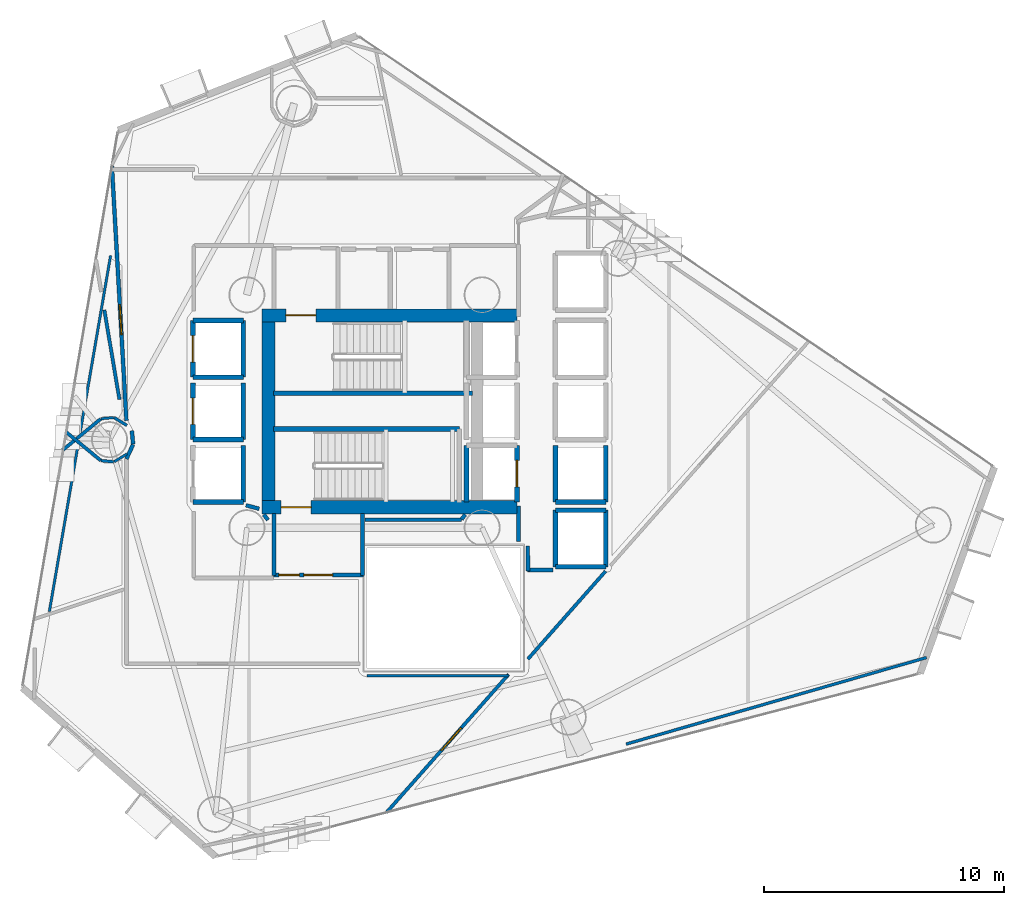
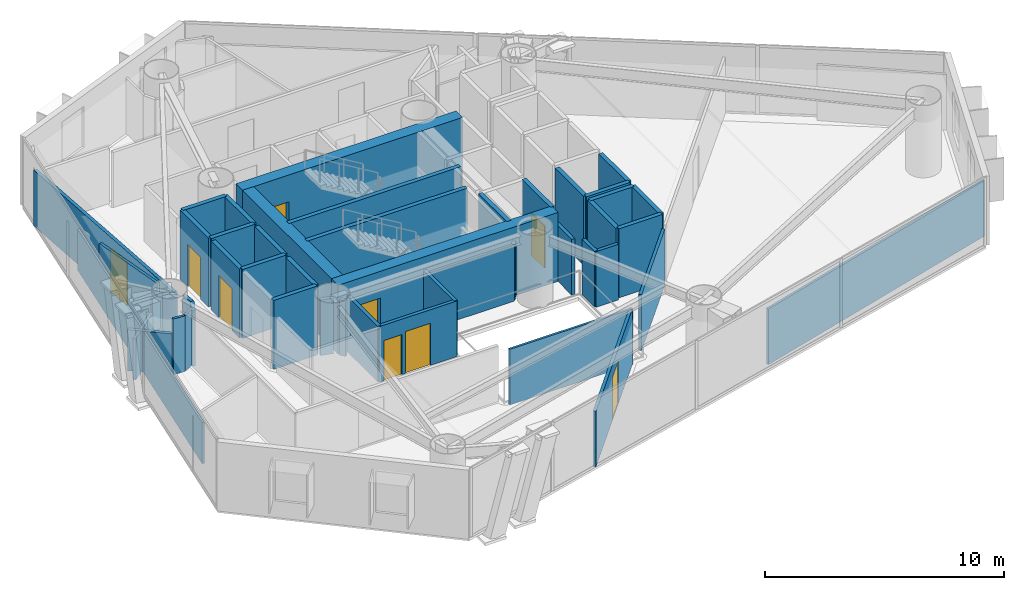
# One storey, part 16 of 21: 48 walls, 9 doors, 9 openings.
"""IFC4 building model written with IfcOpenShell, lengths in metres."""

from ifc_helpers import new_model, si_unit, direction, frame, frame_2d, origin, place, context, subcontext, project, spatial, rectangle, extrude, material, layer, layer_set, type_object, element, fill, save


model = new_model("IFC4")

# Units and contexts
model_context = context("Model", 3, precision=1e-05, world=origin(), true_north=direction((0.0, 1.0)))
body_context = subcontext(model_context, "Body", "Model", "MODEL_VIEW")
ifc_project = project(units=[si_unit("LENGTHUNIT", "METRE"), si_unit("AREAUNIT", "SQUARE_METRE"), si_unit("VOLUMEUNIT", "CUBIC_METRE"), si_unit("PLANEANGLEUNIT", "RADIAN"), si_unit("MASSUNIT", "GRAM", prefix="KILO")], contexts=[model_context])

# Site, building, storey
site_placement = place(None, origin())
site = spatial("IfcSite", under=ifc_project, at=site_placement, CompositionType="ELEMENT")
building_placement = place(site_placement, origin())
building = spatial("IfcBuilding", under=site, at=building_placement, Name="Qianvela Tower", CompositionType="ELEMENT")
storey_placement = place(building_placement, frame((0.0, 0.0, 112.60009765625)))
storey = spatial("IfcBuildingStorey", under=building, at=storey_placement, Name="L28", CompositionType="ELEMENT", Elevation=112.60009765625)

# Wall, opening, door
ifc_material_1 = material(Name="Concrete C60", Category="concrete")
ifc_layer_1 = layer(ifc_material_1, 0.550048828125)
ifc_layer_set_1 = layer_set([ifc_layer_1], Name="Concrete C60")
wall_type_1 = type_object("IfcWallType", Name="WT-CORE-550", PredefinedType="SHEAR", material=ifc_layer_set_1)
wall_1_placement = place(storey_placement, frame((29.22998046875, 32.695068359375, 0.0), z_axis=(0.0, 0.0, 1.0), x_axis=(1.0, 0.0, 0.0)))
wall_1 = element("IfcWall", 1, at=wall_1_placement, inside=storey, type_object=wall_type_1, Name="L28 North Core Shear Wall", PredefinedType="SHEAR", context=body_context, shape_type="SweptSolid", body=[
    extrude(rectangle(XDim=10.6201171875, YDim=0.550048828125, at=frame_2d((5.31005859375, 0.0))), origin(), (0.0, 0.0, 1.0), 3.52001953125),
])
opening_1_placement = place(wall_1_placement, frame((0.9951171875, 0.0, 0.0)))
opening_1 = element("IfcOpeningElement", 2, at=opening_1_placement, cuts=wall_1, Name="Opening D-ST1", PredefinedType="OPENING", context=body_context, shape_type="SweptSolid", body=[
    extrude(rectangle(XDim=1.25, YDim=2.14990234375, at=frame_2d((0.625, 1.074951171875))), frame((0.0, 0.284912109375, 0.0), z_axis=(0.0, -1.0, 0.0), x_axis=(1.0, 0.0, 0.0)), (0.0, 0.0, 1.0), 0.570068359375),
])
ifc_material_2 = material(Name="Galvanised Fire Steel Q355B", Category="steel")
door_type_1 = type_object("IfcDoorType", Name="DT-STAIR-FD90", OperationType="NOTDEFINED", PredefinedType="DOOR", material=ifc_material_2)
door_1_placement = place(opening_1_placement, origin())
door_1 = element("IfcDoor", 3, at=door_1_placement, inside=storey, type_object=door_type_1, Name="L28 Stair ST-1 Exit Door", OperationType="SINGLE_SWING_RIGHT", OverallHeight=2.14990234375, OverallWidth=1.25, PredefinedType="DOOR", context=body_context, shape_type="SweptSolid", body=[
    extrude(rectangle(XDim=1.25, YDim=2.14990234375, at=frame_2d((0.625, 1.074951171875))), frame((0.0, 0.02490234375, 0.0), z_axis=(0.0, -1.0, 0.0), x_axis=(1.0, 0.0, 0.0)), (0.0, 0.0, 1.0), 0.050048828125),
])
fill(opening_1, door_1)

wall_2_placement = place(storey_placement, frame((29.22998046875, 24.705078125, 0.0), z_axis=(0.0, 0.0, 1.0), x_axis=(1.0, 0.0, 0.0)))
wall_2 = element("IfcWall", 4, at=wall_2_placement, inside=storey, type_object=wall_type_1, Name="L28 South Core Shear Wall", PredefinedType="SHEAR", context=body_context, shape_type="SweptSolid", body=[
    extrude(rectangle(XDim=10.6201171875, YDim=0.550048828125, at=frame_2d((5.31005859375, 0.0))), origin(), (0.0, 0.0, 1.0), 3.52001953125),
])
opening_2_placement = place(wall_2_placement, frame((0.794921875, 0.0, 0.0)))
opening_2 = element("IfcOpeningElement", 5, at=opening_2_placement, cuts=wall_2, Name="Opening D-ST1", PredefinedType="OPENING", context=body_context, shape_type="SweptSolid", body=[
    extrude(rectangle(XDim=1.25, YDim=2.14990234375, at=frame_2d((0.625, 1.074951171875))), frame((0.0, 0.284912109375, 0.0), z_axis=(0.0, -1.0, 0.0), x_axis=(1.0, 0.0, 0.0)), (0.0, 0.0, 1.0), 0.570068359375),
])
door_2_placement = place(opening_2_placement, origin())
door_2 = element("IfcDoor", 6, at=door_2_placement, inside=storey, type_object=door_type_1, Name="L28 Stair ST-2 Exit Door", OperationType="SINGLE_SWING_RIGHT", OverallHeight=2.14990234375, OverallWidth=1.25, PredefinedType="DOOR", context=body_context, shape_type="SweptSolid", body=[
    extrude(rectangle(XDim=1.25, YDim=2.14990234375, at=frame_2d((0.625, 1.074951171875))), frame((0.0, 0.02490234375, 0.0), z_axis=(0.0, -1.0, 0.0), x_axis=(1.0, 0.0, 0.0)), (0.0, 0.0, 1.0), 0.050048828125),
])
fill(opening_2, door_2)

# Wall
wall_3_placement = place(storey_placement, frame((29.5048828125, 24.97998046875, 0.0), z_axis=(0.0, 0.0, 1.0), x_axis=(0.0, 1.0, 0.0)))
element("IfcWall", 7, at=wall_3_placement, inside=storey, type_object=wall_type_1, Name="L28 West Core Shear Wall", PredefinedType="SHEAR", context=body_context, shape_type="SweptSolid", body=[
    extrude(rectangle(XDim=7.43994140625, YDim=0.550048828125, at=frame_2d((3.719970703125, 0.0))), origin(), (0.0, 0.0, 1.0), 3.52001953125),
])

# Wall, openings, doors
ifc_material_3 = material(Name="Fire-Rated Gypsum and Concrete Block", Category="concrete")
ifc_layer_2 = layer(ifc_material_3, 0.159912109375)
ifc_layer_set_2 = layer_set([ifc_layer_2], Name="Fire-Rated Gypsum and Concrete Block")
wall_type_2 = type_object("IfcWallType", Name="WT-CORR-160", PredefinedType="PARTITIONING", material=ifc_layer_set_2)
wall_4_placement = place(storey_placement, frame((33.449951171875, 21.881103515625, 0.0), z_axis=(0.0, 0.0, 1.0), x_axis=(-1.0, 0.0, 0.0)))
wall_4 = element("IfcWall", 8, at=wall_4_placement, inside=storey, type_object=wall_type_2, Name="L28 Partition 5", PredefinedType="PARTITIONING", context=body_context, shape_type="SweptSolid", body=[
    extrude(rectangle(XDim=3.75, YDim=0.159912109375, at=frame_2d((1.875, 0.0))), origin(), (0.0, 0.0, 1.0), 2.83984375),
])
opening_3_placement = place(wall_4_placement, frame((1.27490234375, 0.0, 0.0)))
opening_3 = element("IfcOpeningElement", 9, at=opening_3_placement, cuts=wall_4, Name="Opening D-LB1", PredefinedType="OPENING", context=body_context, shape_type="SweptSolid", body=[
    extrude(rectangle(XDim=1.199951171875, YDim=2.14990234375, at=frame_2d((0.60009765625, 1.074951171875))), frame((0.0, 0.08984375, 0.0), z_axis=(0.0, -1.0, 0.0), x_axis=(1.0, 0.0, 0.0)), (0.0, 0.0, 1.0), 0.179931640625),
])
opening_4_placement = place(wall_4_placement, frame((2.659912109375, 0.0, 0.0)))
opening_4 = element("IfcOpeningElement", 10, at=opening_4_placement, cuts=wall_4, Name="Opening D-LB2", PredefinedType="OPENING", context=body_context, shape_type="SweptSolid", body=[
    extrude(rectangle(XDim=0.860107421875, YDim=2.050048828125, at=frame_2d((0.43017578125, 1.02490234375))), frame((0.0, 0.08984375, 0.0), z_axis=(0.0, -1.0, 0.0), x_axis=(1.0, 0.0, 0.0)), (0.0, 0.0, 1.0), 0.179931640625),
])
ifc_material_4 = material(Name="Glazed Fire-Rated Steel Frame", Category="steel")
door_type_2 = type_object("IfcDoorType", Name="DT-LOBBY-FD90", OperationType="NOTDEFINED", PredefinedType="DOOR", material=ifc_material_4)
door_3_placement = place(opening_3_placement, origin())
door_3 = element("IfcDoor", 11, at=door_3_placement, inside=storey, type_object=door_type_2, Name="L28 Door L28 Firefighting Lobby South to L28 Floor Corridor", OperationType="SINGLE_SWING_LEFT", OverallHeight=2.14990234375, OverallWidth=1.199951171875, PredefinedType="DOOR", context=body_context, shape_type="SweptSolid", body=[
    extrude(rectangle(XDim=1.199951171875, YDim=2.14990234375, at=frame_2d((0.60009765625, 1.074951171875))), frame((0.0, 0.02490234375, 0.0), z_axis=(0.0, -1.0, 0.0), x_axis=(1.0, 0.0, 0.0)), (0.0, 0.0, 1.0), 0.050048828125),
])
fill(opening_3, door_3)
ifc_material_5 = material(Name="Insulated Steel Fire Door Q355B", Category="steel")
door_type_3 = type_object("IfcDoorType", Name="DT-LOBBY-FD90-860", OperationType="NOTDEFINED", PredefinedType="DOOR", material=ifc_material_5)
door_4_placement = place(opening_4_placement, origin())
door_4 = element("IfcDoor", 12, at=door_4_placement, inside=storey, type_object=door_type_3, Name="L28 Door L28 Firefighting Lobby South to L28 Floor Corridor", OperationType="SINGLE_SWING_RIGHT", OverallHeight=2.050048828125, OverallWidth=0.860107421875, PredefinedType="DOOR", context=body_context, shape_type="SweptSolid", body=[
    extrude(rectangle(XDim=0.860107421875, YDim=2.050048828125, at=frame_2d((0.43017578125, 1.02490234375))), frame((0.0, 0.02490234375, 0.0), z_axis=(0.0, -1.0, 0.0), x_axis=(1.0, 0.0, 0.0)), (0.0, 0.0, 1.0), 0.050048828125),
])
fill(opening_4, door_4)

# Walls
for number, where, z_axis, x_axis, name in (
    (13, (29.73095703125, 21.85009765625, 0.0), (0.0, 0.0, 1.0), (0.0, 1.0, 0.0), "L28 Partition 6"),
    (14, (33.4189453125, 24.44189453125, 0.0), (0.0, 0.0, 1.0), (0.0, -1.0, 0.0), "L28 Partition 8"),
):
    element("IfcWall", number, at=place(storey_placement, frame(where, z_axis=z_axis, x_axis=x_axis)), inside=storey, type_object=wall_type_2, Name=name, PredefinedType="PARTITIONING", context=body_context, shape_type="SweptSolid", body=[
        extrude(rectangle(XDim=2.591796875, YDim=0.159912109375, at=frame_2d((1.2958984375, 0.0))), origin(), (0.0, 0.0, 1.0), 2.83984375),
    ])
wall_5_placement = place(storey_placement, frame((41.360107421875, 22.0810546875, 0.0), z_axis=(0.0, 0.0, 1.0), x_axis=(-1.0, 0.0, 0.0)))
element("IfcWall", 15, at=wall_5_placement, inside=storey, type_object=wall_type_2, Name="L28 Partition 15", PredefinedType="PARTITIONING", context=body_context, shape_type="SweptSolid", body=[
    extrude(rectangle(XDim=1.080078125, YDim=0.159912109375, at=frame_2d((0.5400390625, 0.0))), origin(), (0.0, 0.0, 1.0), 2.83984375),
])
wall_6_placement = place(storey_placement, frame((40.31103515625, 22.05029296875, 0.0), z_axis=(0.0, 0.0, 1.0), x_axis=(-0.011836292006, 0.999929948642, 0.0)))
element("IfcWall", 16, at=wall_6_placement, inside=storey, type_object=wall_type_2, Name="L28 Partition 16", PredefinedType="PARTITIONING", context=body_context, shape_type="SweptSolid", body=[
    extrude(rectangle(XDim=1.03125, YDim=0.159912109375, at=frame_2d((0.515625, 0.0))), origin(), (0.0, 0.0, 1.0), 2.83984375),
])
wall_7_placement = place(storey_placement, frame((39.910888671875, 23.27978515625, 0.0), z_axis=(0.0, 0.0, 1.0), x_axis=(0.009397771291, 0.999955839972, 0.0)))
element("IfcWall", 17, at=wall_7_placement, inside=storey, type_object=wall_type_2, Name="L28 Partition 17", PredefinedType="PARTITIONING", context=body_context, shape_type="SweptSolid", body=[
    extrude(rectangle(XDim=1.480712890625, YDim=0.159912109375, at=frame_2d((0.740234375, 0.0))), origin(), (0.0, 0.0, 1.0), 2.83984375),
])
wall_8_placement = place(storey_placement, frame((29.47998046875, 24.1689453125, 0.0), z_axis=(0.0, 0.0, 1.0), x_axis=(-0.607608252226, 0.794236873878, 0.0)))
element("IfcWall", 18, at=wall_8_placement, inside=storey, type_object=wall_type_2, Name="L28 Partition 30", PredefinedType="PARTITIONING", context=body_context, shape_type="SweptSolid", body=[
    extrude(rectangle(XDim=0.286376953125, YDim=0.159912109375, at=frame_2d((0.14306640625, 0.0))), origin(), (0.0, 0.0, 1.0), 2.83984375),
])
wall_9_placement = place(storey_placement, frame((29.113525390625, 24.63671875, 0.0), z_axis=(0.0, 0.0, 1.0), x_axis=(-0.966199685486, 0.257794817183, 0.0)))
element("IfcWall", 19, at=wall_9_placement, inside=storey, type_object=wall_type_2, Name="L28 Partition 31", PredefinedType="PARTITIONING", context=body_context, shape_type="SweptSolid", body=[
    extrude(rectangle(XDim=0.574951171875, YDim=0.159912109375, at=frame_2d((0.28759765625, 0.0))), origin(), (0.0, 0.0, 1.0), 2.83984375),
])
wall_10_placement = place(storey_placement, frame((37.694091796875, 24.396484375, 0.0), z_axis=(0.0, 0.0, 1.0), x_axis=(-0.607118658061, -0.794611184815, 0.0)))
element("IfcWall", 20, at=wall_10_placement, inside=storey, type_object=wall_type_2, Name="L28 Partition 38", PredefinedType="PARTITIONING", context=body_context, shape_type="SweptSolid", body=[
    extrude(rectangle(XDim=0.24609375, YDim=0.159912109375, at=frame_2d((0.123046875, 0.0))), origin(), (0.0, 0.0, 1.0), 2.83984375),
])
wall_11_placement = place(storey_placement, frame((37.544677734375, 24.180908203125, 0.0), z_axis=(0.0, 0.0, 1.0), x_axis=(-1.0, 0.0, 0.0)))
element("IfcWall", 21, at=wall_11_placement, inside=storey, type_object=wall_type_2, Name="L28 Partition 39", PredefinedType="PARTITIONING", context=body_context, shape_type="SweptSolid", body=[
    extrude(rectangle(XDim=4.0146484375, YDim=0.159912109375, at=frame_2d((2.00732421875, 0.0))), origin(), (0.0, 0.0, 1.0), 2.83984375),
])

# Wall, opening, door
wall_12_placement = place(storey_placement, frame((23.5810546875, 28.306640625, 0.0), z_axis=(0.0, 0.0, 1.0), x_axis=(-0.056927299401, 0.998378326379, 0.0)))
wall_12 = element("IfcWall", 22, at=wall_12_placement, inside=storey, type_object=wall_type_2, Name="L28 Partition 40", PredefinedType="PARTITIONING", context=body_context, shape_type="SweptSolid", body=[
    extrude(rectangle(XDim=10.614501953125, YDim=0.159912109375, at=frame_2d((5.30712890625, 0.0))), origin(), (0.0, 0.0, 1.0), 2.83984375),
])
opening_5_placement = place(wall_12_placement, frame((3.59423828125, 0.0, 0.0)))
opening_5 = element("IfcOpeningElement", 23, at=opening_5_placement, cuts=wall_12, Name="Opening D-LG1", PredefinedType="OPENING", context=body_context, shape_type="SweptSolid", body=[
    extrude(rectangle(XDim=1.25, YDim=2.199951171875, at=frame_2d((0.625, 1.10009765625))), frame((0.0, 0.08984375, 0.0), z_axis=(0.0, -1.0, 0.0), x_axis=(1.0, 0.0, 0.0)), (0.0, 0.0, 1.0), 0.179931640625),
])
ifc_material_6 = material(Name="Anodised Aluminium Acoustic Glass Door", Category="aluminium")
door_type_4 = type_object("IfcDoorType", Name="DT-LOUNGE-1250", OperationType="NOTDEFINED", PredefinedType="DOOR", material=ifc_material_6)
door_5_placement = place(opening_5_placement, origin())
door_5 = element("IfcDoor", 24, at=door_5_placement, inside=storey, type_object=door_type_4, Name="L28 Door Graduate Seminar Classroom L28-04 to L28 Floor Corridor", OperationType="SINGLE_SWING_RIGHT", OverallHeight=2.199951171875, OverallWidth=1.25, PredefinedType="DOOR", context=body_context, shape_type="SweptSolid", body=[
    extrude(rectangle(XDim=1.25, YDim=2.199951171875, at=frame_2d((0.625, 1.10009765625))), frame((0.0, 0.02490234375, 0.0), z_axis=(0.0, -1.0, 0.0), x_axis=(1.0, 0.0, 0.0)), (0.0, 0.0, 1.0), 0.050048828125),
])
fill(opening_5, door_5)

# Walls
wall_13_placement = place(storey_placement, frame((23.578125, 26.71240234375, 0.0), z_axis=(0.0, 0.0, 1.0), x_axis=(0.421251946418, 0.906943657367, 0.0)))
element("IfcWall", 25, at=wall_13_placement, inside=storey, type_object=wall_type_2, Name="L28 Partition 53", PredefinedType="PARTITIONING", context=body_context, shape_type="SweptSolid", body=[
    extrude(rectangle(XDim=0.6630859375, YDim=0.159912109375, at=frame_2d((0.33154296875, 0.0))), origin(), (0.0, 0.0, 1.0), 2.83984375),
])
wall_14_placement = place(storey_placement, frame((23.860107421875, 27.329833984375, 0.0), z_axis=(0.0, 0.0, 1.0), x_axis=(-0.098000919071, 0.995186324193, 0.0)))
element("IfcWall", 26, at=wall_14_placement, inside=storey, type_object=wall_type_2, Name="L28 Partition 54", PredefinedType="PARTITIONING", context=body_context, shape_type="SweptSolid", body=[
    extrude(rectangle(XDim=0.56298828125, YDim=0.159912109375, at=frame_2d((0.281494140625, 0.0))), origin(), (0.0, 0.0, 1.0), 2.83984375),
])
ifc_material_7 = material(Name="Lightweight Gypsum Room Partition")
ifc_layer_3 = layer(ifc_material_7, 0.10498046875)
ifc_layer_set_3 = layer_set([ifc_layer_3], Name="Lightweight Gypsum Room Partition")
wall_type_3 = type_object("IfcWallType", Name="WT-PART-105", PredefinedType="PARTITIONING", material=ifc_layer_set_3)
wall_15_placement = place(storey_placement, frame((33.60009765625, 17.68896484375, 0.0), z_axis=(0.0, 0.0, 1.0), x_axis=(1.0, 0.0, 0.0)))
element("IfcWall", 27, at=wall_15_placement, inside=storey, type_object=wall_type_3, Name="L28 Partition 56", PredefinedType="PARTITIONING", context=body_context, shape_type="SweptSolid", body=[
    extrude(rectangle(XDim=5.925048828125, YDim=0.10498046875, at=frame_2d((2.96240234375, 0.0))), origin(), (0.0, 0.0, 1.0), 2.83984375),
])
wall_16_placement = place(storey_placement, frame((23.052490234375, 28.439453125, 0.0), z_axis=(0.0, 0.0, 1.0), x_axis=(-0.995191506225, -0.09794828195, 0.0)))
element("IfcWall", 28, at=wall_16_placement, inside=storey, type_object=wall_type_3, Name="L28 Partition 104", PredefinedType="PARTITIONING", context=body_context, shape_type="SweptSolid", body=[
    extrude(rectangle(XDim=0.5283203125, YDim=0.10498046875, at=frame_2d((0.26416015625, 0.0))), origin(), (0.0, 0.0, 1.0), 2.83984375),
])
wall_17_placement = place(storey_placement, frame((23.07177734375, 26.59716796875, 0.0), z_axis=(0.0, 0.0, 1.0), x_axis=(0.851536753009, 0.524294915363, 0.0)))
element("IfcWall", 29, at=wall_17_placement, inside=storey, type_object=wall_type_3, Name="L28 Partition 110", PredefinedType="PARTITIONING", context=body_context, shape_type="SweptSolid", body=[
    extrude(rectangle(XDim=0.62060546875, YDim=0.10498046875, at=frame_2d((0.310302734375, 0.0))), origin(), (0.0, 0.0, 1.0), 2.83984375),
])
wall_18_placement = place(storey_placement, frame((20.37109375, 20.35791015625, 0.0), z_axis=(0.0, 0.0, 1.0), x_axis=(0.169525939527, 0.985525725604, 0.0)))
element("IfcWall", 30, at=wall_18_placement, inside=storey, type_object=wall_type_3, Name="L28 Partition 113", PredefinedType="PARTITIONING", context=body_context, shape_type="SweptSolid", body=[
    extrude(rectangle(XDim=15.043701171875, YDim=0.10498046875, at=frame_2d((7.52197265625, 0.0))), origin(), (0.0, 0.0, 1.0), 2.094970703125),
])
ifc_material_8 = material(Name="Insulated Gypsum Stud Partition")
ifc_layer_4 = layer(ifc_material_8, 0.1201171875)
ifc_layer_set_4 = layer_set([ifc_layer_4], Name="Insulated Gypsum Stud Partition")
wall_type_4 = type_object("IfcWallType", Name="WT-PART-120", PredefinedType="PARTITIONING", material=ifc_layer_set_4)
wall_19_placement = place(storey_placement, frame((56.912109375, 18.439453125, 0.0), z_axis=(0.0, 0.0, 1.0), x_axis=(-0.960917353676, -0.276835401285, 0.0)))
element("IfcWall", 31, at=wall_19_placement, inside=storey, type_object=wall_type_4, Name="L28 Partition 67 seg 1", PredefinedType="PARTITIONING", context=body_context, shape_type="SweptSolid", body=[
    extrude(rectangle(XDim=13.020263671875, YDim=0.1201171875, at=frame_2d((6.51025390625, 0.0))), origin(), (0.0, 0.0, 1.0), 2.83984375),
])
wall_20_placement = place(storey_placement, frame((23.600341796875, 28.109619140625, 0.0), z_axis=(0.0, 0.0, 1.0), x_axis=(-0.851712341449, 0.524009625316, 0.0)))
element("IfcWall", 32, at=wall_20_placement, inside=storey, type_object=wall_type_4, Name="L28 Partition 103", PredefinedType="PARTITIONING", context=body_context, shape_type="SweptSolid", body=[
    extrude(rectangle(XDim=0.62060546875, YDim=0.1201171875, at=frame_2d((0.310302734375, 0.0))), origin(), (0.0, 0.0, 1.0), 2.83984375),
])
wall_21_placement = place(storey_placement, frame((22.526611328125, 26.644287109375, 0.0), z_axis=(0.0, 0.0, 1.0), x_axis=(0.995191506225, -0.09794828195, 0.0)))
element("IfcWall", 33, at=wall_21_placement, inside=storey, type_object=wall_type_4, Name="L28 Partition 109", PredefinedType="PARTITIONING", context=body_context, shape_type="SweptSolid", body=[
    extrude(rectangle(XDim=0.5283203125, YDim=0.1201171875, at=frame_2d((0.26416015625, 0.0))), origin(), (0.0, 0.0, 1.0), 2.83984375),
])

# Wall, opening, door
ifc_material_9 = material(Name="Acoustic Double Gypsum Stud Partition")
ifc_layer_5 = layer(ifc_material_9, 0.139892578125)
ifc_layer_set_5 = layer_set([ifc_layer_5], Name="Acoustic Double Gypsum Stud Partition")
wall_type_5 = type_object("IfcWallType", Name="WT-ROOM-140", PredefinedType="PARTITIONING", material=ifc_layer_set_5)
wall_22_placement = place(storey_placement, frame((39.501953125, 17.740478515625, 0.0), z_axis=(0.0, 0.0, 1.0), x_axis=(-0.662230930848, -0.749299802635, 0.0)))
wall_22 = element("IfcWall", 34, at=wall_22_placement, inside=storey, type_object=wall_type_5, Name="L28 Partition 57", PredefinedType="PARTITIONING", context=body_context, shape_type="SweptSolid", body=[
    extrude(rectangle(XDim=7.697021484375, YDim=0.139892578125, at=frame_2d((3.8486328125, 0.0))), origin(), (0.0, 0.0, 1.0), 2.83984375),
])
opening_6_placement = place(wall_22_placement, frame((2.98046875, 0.0, 0.0)))
opening_6 = element("IfcOpeningElement", 35, at=opening_6_placement, cuts=wall_22, Name="Opening D-LG1", PredefinedType="OPENING", context=body_context, shape_type="SweptSolid", body=[
    extrude(rectangle(XDim=1.25, YDim=2.199951171875, at=frame_2d((0.625, 1.10009765625))), frame((0.0, 0.079833984375, 0.0), z_axis=(0.0, -1.0, 0.0), x_axis=(1.0, 0.0, 0.0)), (0.0, 0.0, 1.0), 0.159912109375),
])
door_6_placement = place(opening_6_placement, origin())
door_6 = element("IfcDoor", 36, at=door_6_placement, inside=storey, type_object=door_type_4, Name="L28 Door Quiet Desk Workspace L28-01B to Collaborative Co-working Office L28-01A", OperationType="SINGLE_SWING_LEFT", OverallHeight=2.199951171875, OverallWidth=1.25, PredefinedType="DOOR", context=body_context, shape_type="SweptSolid", body=[
    extrude(rectangle(XDim=1.25, YDim=2.199951171875, at=frame_2d((0.625, 1.10009765625))), frame((0.0, 0.02490234375, 0.0), z_axis=(0.0, -1.0, 0.0), x_axis=(1.0, 0.0, 0.0)), (0.0, 0.0, 1.0), 0.050048828125),
])
fill(opening_6, door_6)

# Walls
wall_23_placement = place(storey_placement, frame((40.30322265625, 18.372314453125, 0.0), z_axis=(0.0, 0.0, 1.0), x_axis=(0.662221894186, 0.749307789136, 0.0)))
element("IfcWall", 37, at=wall_23_placement, inside=storey, type_object=wall_type_5, Name="L28 Partition 63", PredefinedType="PARTITIONING", context=body_context, shape_type="SweptSolid", body=[
    extrude(rectangle(XDim=4.894775390625, YDim=0.139892578125, at=frame_2d((2.447265625, 0.0))), origin(), (0.0, 0.0, 1.0), 2.83984375),
])
wall_24_placement = place(storey_placement, frame((22.510009765625, 28.380615234375, 0.0), z_axis=(0.0, 0.0, 1.0), x_axis=(-0.772998253564, -0.63440814937, 0.0)))
element("IfcWall", 38, at=wall_24_placement, inside=storey, type_object=wall_type_5, Name="L28 Partition 105", PredefinedType="PARTITIONING", context=body_context, shape_type="SweptSolid", body=[
    extrude(rectangle(XDim=2.04345703125, YDim=0.139892578125, at=frame_2d((1.021728515625, 0.0))), origin(), (0.0, 0.0, 1.0), 2.094970703125),
])
wall_25_placement = place(storey_placement, frame((21.056884765625, 27.843994140625, 0.0), z_axis=(0.0, 0.0, 1.0), x_axis=(0.772990083311, -0.634418104331, 0.0)))
element("IfcWall", 39, at=wall_25_placement, inside=storey, type_object=wall_type_5, Name="L28 Partition 108", PredefinedType="PARTITIONING", context=body_context, shape_type="SweptSolid", body=[
    extrude(rectangle(XDim=1.8798828125, YDim=0.139892578125, at=frame_2d((0.93994140625, 0.0))), origin(), (0.0, 0.0, 1.0), 2.094970703125),
])
wall_26_placement = place(storey_placement, frame((22.66162109375, 32.9208984375, 0.0), z_axis=(0.0, 0.0, 1.0), x_axis=(0.166124935367, -0.98610471343, 0.0)))
element("IfcWall", 40, at=wall_26_placement, inside=storey, type_object=wall_type_5, Name="L28 Partition 114 seg 1", PredefinedType="PARTITIONING", context=body_context, shape_type="SweptSolid", body=[
    extrude(rectangle(XDim=3.7841796875, YDim=0.139892578125, at=frame_2d((1.89208984375, 0.0))), origin(), (0.0, 0.0, 1.0), 2.83984375),
])
ifc_material_10 = material(Name="Concrete C50", Category="concrete")
ifc_layer_6 = layer(ifc_material_10, 0.199951171875)
ifc_layer_set_6 = layer_set([ifc_layer_6], Name="Concrete C50")
wall_type_6 = type_object("IfcWallType", Name="WT-SHAFT-200", PredefinedType="SOLIDWALL", material=ifc_layer_set_6)
wall_27_placement = place(storey_placement, frame((29.699951171875, 29.449951171875, 0.0), z_axis=(0.0, 0.0, 1.0), x_axis=(1.0, 0.0, 0.0)))
element("IfcWall", 41, at=wall_27_placement, inside=storey, type_object=wall_type_6, Name="L28 Stair ST-1 South Wall", PredefinedType="SOLIDWALL", context=body_context, shape_type="SweptSolid", body=[
    extrude(rectangle(XDim=8.300048828125, YDim=0.199951171875, at=frame_2d((4.14990234375, 0.0))), origin(), (0.0, 0.0, 1.0), 3.52001953125),
])
wall_28_placement = place(storey_placement, frame((29.699951171875, 27.9599609375, 0.0), z_axis=(0.0, 0.0, 1.0), x_axis=(1.0, 0.0, 0.0)))
element("IfcWall", 42, at=wall_28_placement, inside=storey, type_object=wall_type_6, Name="L28 Stair ST-2 North Wall", PredefinedType="SOLIDWALL", context=body_context, shape_type="SweptSolid", body=[
    extrude(rectangle(XDim=7.75, YDim=0.199951171875, at=frame_2d((3.875, 0.0))), origin(), (0.0, 0.0, 1.0), 3.52001953125),
])

# Wall, opening, door
wall_29_placement = place(storey_placement, frame((39.85009765625, 24.919921875, 0.0), z_axis=(0.0, 0.0, 1.0), x_axis=(0.0, 1.0, 0.0)))
wall_29 = element("IfcWall", 43, at=wall_29_placement, inside=storey, type_object=wall_type_6, Name="L28 Lift FL-2 E Shaft Wall", PredefinedType="SOLIDWALL", context=body_context, shape_type="SweptSolid", body=[
    extrude(rectangle(XDim=2.360107421875, YDim=0.199951171875, at=frame_2d((1.18017578125, 0.0))), origin(), (0.0, 0.0, 1.0), 3.52001953125),
])
opening_7_placement = place(wall_29_placement, frame((0.6298828125, 0.0, 0.0)))
opening_7 = element("IfcOpeningElement", 44, at=opening_7_placement, cuts=wall_29, Name="Opening LD-01", PredefinedType="OPENING", context=body_context, shape_type="SweptSolid", body=[
    extrude(rectangle(XDim=1.10009765625, YDim=2.14990234375, at=frame_2d((0.550048828125, 1.074951171875))), frame((0.0, 0.10986328125, 0.0), z_axis=(0.0, -1.0, 0.0), x_axis=(1.0, 0.0, 0.0)), (0.0, 0.0, 1.0), 0.219970703125),
])
ifc_material_11 = material(Name="Brushed Stainless Steel Lift Landing Door", Category="steel")
door_type_5 = type_object("IfcDoorType", Name="DT-LIFT-SLIDE-1100", OperationType="SLIDING_TO_LEFT", PredefinedType="DOOR", material=ifc_material_11)
door_7_placement = place(opening_7_placement, origin())
door_7 = element("IfcDoor", 45, at=door_7_placement, inside=storey, type_object=door_type_5, Name="L28 Lift FL-2 Sliding Landing Door", OperationType="SLIDING_TO_LEFT", OverallHeight=2.14990234375, OverallWidth=1.10009765625, PredefinedType="DOOR", context=body_context, shape_type="SweptSolid", body=[
    extrude(rectangle(XDim=1.10009765625, YDim=2.14990234375, at=frame_2d((0.550048828125, 1.074951171875))), frame((0.0, 0.02490234375, 0.0), z_axis=(0.0, -1.0, 0.0), x_axis=(1.0, 0.0, 0.0)), (0.0, 0.0, 1.0), 0.050048828125),
])
fill(opening_7, door_7)

# Walls
wall_30_placement = place(storey_placement, frame((37.75, 24.919921875, 0.0), z_axis=(0.0, 0.0, 1.0), x_axis=(0.0, 1.0, 0.0)))
element("IfcWall", 46, at=wall_30_placement, inside=storey, type_object=wall_type_6, Name="L28 Lift FL-2 W Shaft Wall", PredefinedType="SOLIDWALL", context=body_context, shape_type="SweptSolid", body=[
    extrude(rectangle(XDim=2.360107421875, YDim=0.199951171875, at=frame_2d((1.18017578125, 0.0))), origin(), (0.0, 0.0, 1.0), 3.52001953125),
])
wall_31_placement = place(storey_placement, frame((28.449951171875, 30.1201171875, 0.0), z_axis=(0.0, 0.0, 1.0), x_axis=(0.0, 1.0, 0.0)))
element("IfcWall", 47, at=wall_31_placement, inside=storey, type_object=wall_type_6, Name="L28 Lift PL-L1 E Shaft Wall", PredefinedType="SOLIDWALL", context=body_context, shape_type="SweptSolid", body=[
    extrude(rectangle(XDim=2.35986328125, YDim=0.199951171875, at=frame_2d((1.179931640625, 0.0))), origin(), (0.0, 0.0, 1.0), 3.52001953125),
])

# Wall, opening, door
wall_32_placement = place(storey_placement, frame((26.35009765625, 30.1201171875, 0.0), z_axis=(0.0, 0.0, 1.0), x_axis=(0.0, 1.0, 0.0)))
wall_32 = element("IfcWall", 48, at=wall_32_placement, inside=storey, type_object=wall_type_6, Name="L28 Lift PL-L1 W Shaft Wall", PredefinedType="SOLIDWALL", context=body_context, shape_type="SweptSolid", body=[
    extrude(rectangle(XDim=2.35986328125, YDim=0.199951171875, at=frame_2d((1.179931640625, 0.0))), origin(), (0.0, 0.0, 1.0), 3.52001953125),
])
opening_8_placement = place(wall_32_placement, frame((0.6298828125, 0.0, 0.0)))
opening_8 = element("IfcOpeningElement", 49, at=opening_8_placement, cuts=wall_32, Name="Opening LD-01", PredefinedType="OPENING", context=body_context, shape_type="SweptSolid", body=[
    extrude(rectangle(XDim=1.10009765625, YDim=2.14990234375, at=frame_2d((0.550048828125, 1.074951171875))), frame((0.0, 0.10986328125, 0.0), z_axis=(0.0, -1.0, 0.0), x_axis=(1.0, 0.0, 0.0)), (0.0, 0.0, 1.0), 0.219970703125),
])
door_8_placement = place(opening_8_placement, origin())
door_8 = element("IfcDoor", 50, at=door_8_placement, inside=storey, type_object=door_type_5, Name="L28 Lift PL-L1 Sliding Landing Door", OperationType="SLIDING_TO_LEFT", OverallHeight=2.14990234375, OverallWidth=1.10009765625, PredefinedType="DOOR", context=body_context, shape_type="SweptSolid", body=[
    extrude(rectangle(XDim=1.10009765625, YDim=2.14990234375, at=frame_2d((0.550048828125, 1.074951171875))), frame((0.0, 0.02490234375, 0.0), z_axis=(0.0, -1.0, 0.0), x_axis=(1.0, 0.0, 0.0)), (0.0, 0.0, 1.0), 0.050048828125),
])
fill(opening_8, door_8)

# Walls
for number, where, z_axis, x_axis, name in (
    (51, (26.35009765625, 32.47998046875, 0.0), (0.0, 0.0, 1.0), (1.0, 0.0, 0.0), "L28 Lift PL-L1 N Shaft Wall"),
    (52, (26.35009765625, 30.1201171875, 0.0), (0.0, 0.0, 1.0), (1.0, 0.0, 0.0), "L28 Lift PL-L1 S Shaft Wall"),
):
    element("IfcWall", number, at=place(storey_placement, frame(where, z_axis=z_axis, x_axis=x_axis)), inside=storey, type_object=wall_type_6, Name=name, PredefinedType="SOLIDWALL", context=body_context, shape_type="SweptSolid", body=[
        extrude(rectangle(XDim=2.099853515625, YDim=0.199951171875, at=frame_2d((1.0498046875, 0.0))), origin(), (0.0, 0.0, 1.0), 3.52001953125),
    ])
wall_33_placement = place(storey_placement, frame((28.449951171875, 27.52001953125, 0.0), z_axis=(0.0, 0.0, 1.0), x_axis=(0.0, 1.0, 0.0)))
element("IfcWall", 53, at=wall_33_placement, inside=storey, type_object=wall_type_6, Name="L28 Lift PL-L2 E Shaft Wall", PredefinedType="SOLIDWALL", context=body_context, shape_type="SweptSolid", body=[
    extrude(rectangle(XDim=2.35986328125, YDim=0.199951171875, at=frame_2d((1.179931640625, 0.0))), origin(), (0.0, 0.0, 1.0), 3.52001953125),
])

# Wall, opening, door
wall_34_placement = place(storey_placement, frame((26.35009765625, 27.52001953125, 0.0), z_axis=(0.0, 0.0, 1.0), x_axis=(0.0, 1.0, 0.0)))
wall_34 = element("IfcWall", 54, at=wall_34_placement, inside=storey, type_object=wall_type_6, Name="L28 Lift PL-L2 W Shaft Wall", PredefinedType="SOLIDWALL", context=body_context, shape_type="SweptSolid", body=[
    extrude(rectangle(XDim=2.35986328125, YDim=0.199951171875, at=frame_2d((1.179931640625, 0.0))), origin(), (0.0, 0.0, 1.0), 3.52001953125),
])
opening_9_placement = place(wall_34_placement, frame((0.6298828125, 0.0, 0.0)))
opening_9 = element("IfcOpeningElement", 55, at=opening_9_placement, cuts=wall_34, Name="Opening LD-01", PredefinedType="OPENING", context=body_context, shape_type="SweptSolid", body=[
    extrude(rectangle(XDim=1.10009765625, YDim=2.14990234375, at=frame_2d((0.550048828125, 1.074951171875))), frame((0.0, 0.10986328125, 0.0), z_axis=(0.0, -1.0, 0.0), x_axis=(1.0, 0.0, 0.0)), (0.0, 0.0, 1.0), 0.219970703125),
])
door_9_placement = place(opening_9_placement, origin())
door_9 = element("IfcDoor", 56, at=door_9_placement, inside=storey, type_object=door_type_5, Name="L28 Lift PL-L2 Sliding Landing Door", OperationType="SLIDING_TO_LEFT", OverallHeight=2.14990234375, OverallWidth=1.10009765625, PredefinedType="DOOR", context=body_context, shape_type="SweptSolid", body=[
    extrude(rectangle(XDim=1.10009765625, YDim=2.14990234375, at=frame_2d((0.550048828125, 1.074951171875))), frame((0.0, 0.02490234375, 0.0), z_axis=(0.0, -1.0, 0.0), x_axis=(1.0, 0.0, 0.0)), (0.0, 0.0, 1.0), 0.050048828125),
])
fill(opening_9, door_9)

# Walls
wall_35_placement = place(storey_placement, frame((26.35009765625, 27.52001953125, 0.0), z_axis=(0.0, 0.0, 1.0), x_axis=(1.0, 0.0, 0.0)))
element("IfcWall", 57, at=wall_35_placement, inside=storey, type_object=wall_type_6, Name="L28 Lift PL-L2 S Shaft Wall", PredefinedType="SOLIDWALL", context=body_context, shape_type="SweptSolid", body=[
    extrude(rectangle(XDim=2.099853515625, YDim=0.199951171875, at=frame_2d((1.0498046875, 0.0))), origin(), (0.0, 0.0, 1.0), 3.52001953125),
])
wall_36_placement = place(storey_placement, frame((28.449951171875, 24.919921875, 0.0), z_axis=(0.0, 0.0, 1.0), x_axis=(0.0, 1.0, 0.0)))
element("IfcWall", 58, at=wall_36_placement, inside=storey, type_object=wall_type_6, Name="L28 Lift PL-L3 E Shaft Wall", PredefinedType="SOLIDWALL", context=body_context, shape_type="SweptSolid", body=[
    extrude(rectangle(XDim=2.360107421875, YDim=0.199951171875, at=frame_2d((1.18017578125, 0.0))), origin(), (0.0, 0.0, 1.0), 3.52001953125),
])
wall_37_placement = place(storey_placement, frame((26.35009765625, 24.919921875, 0.0), z_axis=(0.0, 0.0, 1.0), x_axis=(1.0, 0.0, 0.0)))
element("IfcWall", 59, at=wall_37_placement, inside=storey, type_object=wall_type_6, Name="L28 Lift PL-L3 S Shaft Wall", PredefinedType="SOLIDWALL", context=body_context, shape_type="SweptSolid", body=[
    extrude(rectangle(XDim=2.099853515625, YDim=0.199951171875, at=frame_2d((1.0498046875, 0.0))), origin(), (0.0, 0.0, 1.0), 3.52001953125),
])
for number, where, z_axis, x_axis, name in (
    (60, (43.550048828125, 24.919921875, 0.0), (0.0, 0.0, 1.0), (0.0, 1.0, 0.0), "L28 Lift PL-M3 E Shaft Wall"),
    (61, (41.449951171875, 24.919921875, 0.0), (0.0, 0.0, 1.0), (0.0, 1.0, 0.0), "L28 Lift PL-M3 W Shaft Wall"),
):
    element("IfcWall", number, at=place(storey_placement, frame(where, z_axis=z_axis, x_axis=x_axis)), inside=storey, type_object=wall_type_6, Name=name, PredefinedType="SOLIDWALL", context=body_context, shape_type="SweptSolid", body=[
        extrude(rectangle(XDim=2.360107421875, YDim=0.199951171875, at=frame_2d((1.18017578125, 0.0))), origin(), (0.0, 0.0, 1.0), 3.52001953125),
    ])
wall_38_placement = place(storey_placement, frame((41.449951171875, 24.919921875, 0.0), z_axis=(0.0, 0.0, 1.0), x_axis=(1.0, 0.0, 0.0)))
element("IfcWall", 62, at=wall_38_placement, inside=storey, type_object=wall_type_6, Name="L28 Lift PL-M3 S Shaft Wall", PredefinedType="SOLIDWALL", context=body_context, shape_type="SweptSolid", body=[
    extrude(rectangle(XDim=2.10009765625, YDim=0.199951171875, at=frame_2d((1.050048828125, 0.0))), origin(), (0.0, 0.0, 1.0), 3.52001953125),
])
for number, where, z_axis, x_axis, name in (
    (63, (43.550048828125, 22.219970703125, 0.0), (0.0, 0.0, 1.0), (0.0, 1.0, 0.0), "L28 Lift PL-H2 E Shaft Wall"),
    (64, (41.449951171875, 22.219970703125, 0.0), (0.0, 0.0, 1.0), (0.0, 1.0, 0.0), "L28 Lift PL-H2 W Shaft Wall"),
):
    element("IfcWall", number, at=place(storey_placement, frame(where, z_axis=z_axis, x_axis=x_axis)), inside=storey, type_object=wall_type_6, Name=name, PredefinedType="SOLIDWALL", context=body_context, shape_type="SweptSolid", body=[
        extrude(rectangle(XDim=2.360107421875, YDim=0.199951171875, at=frame_2d((1.18017578125, 0.0))), origin(), (0.0, 0.0, 1.0), 3.52001953125),
    ])
for number, where, z_axis, x_axis, name in (
    (65, (41.449951171875, 24.580078125, 0.0), (0.0, 0.0, 1.0), (1.0, 0.0, 0.0), "L28 Lift PL-H2 N Shaft Wall"),
    (66, (41.449951171875, 22.219970703125, 0.0), (0.0, 0.0, 1.0), (1.0, 0.0, 0.0), "L28 Lift PL-H2 S Shaft Wall"),
):
    element("IfcWall", number, at=place(storey_placement, frame(where, z_axis=z_axis, x_axis=x_axis)), inside=storey, type_object=wall_type_6, Name=name, PredefinedType="SOLIDWALL", context=body_context, shape_type="SweptSolid", body=[
        extrude(rectangle(XDim=2.10009765625, YDim=0.199951171875, at=frame_2d((1.050048828125, 0.0))), origin(), (0.0, 0.0, 1.0), 3.52001953125),
    ])

save(model, "model.ifc")
